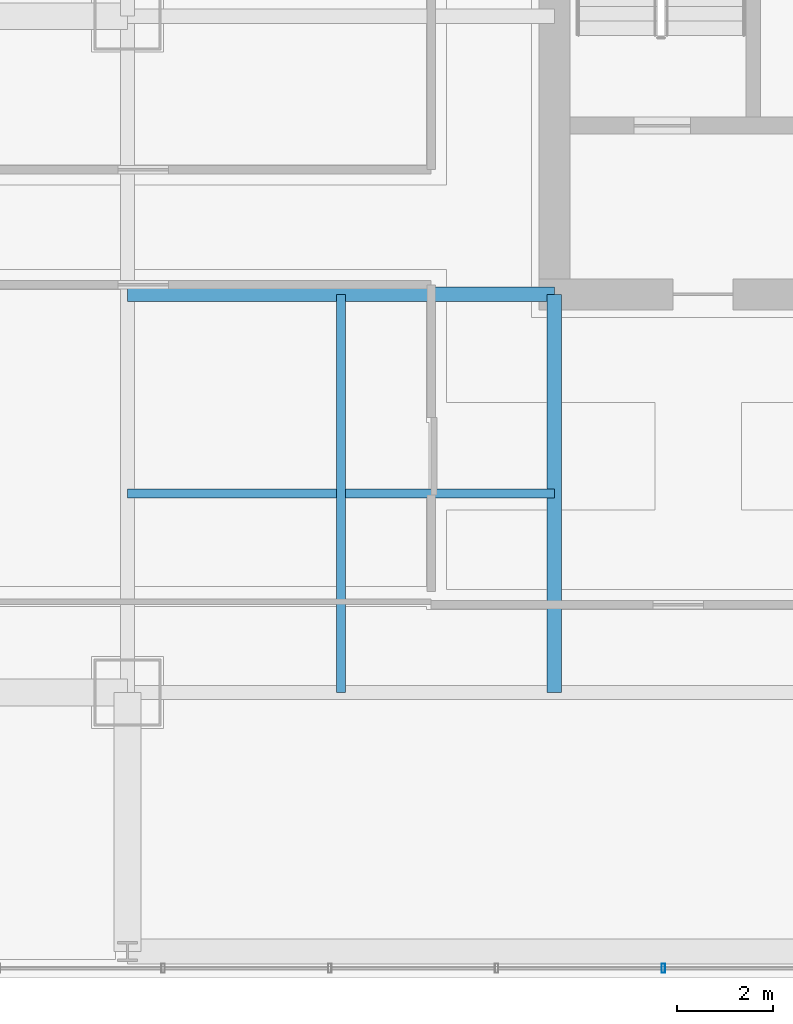
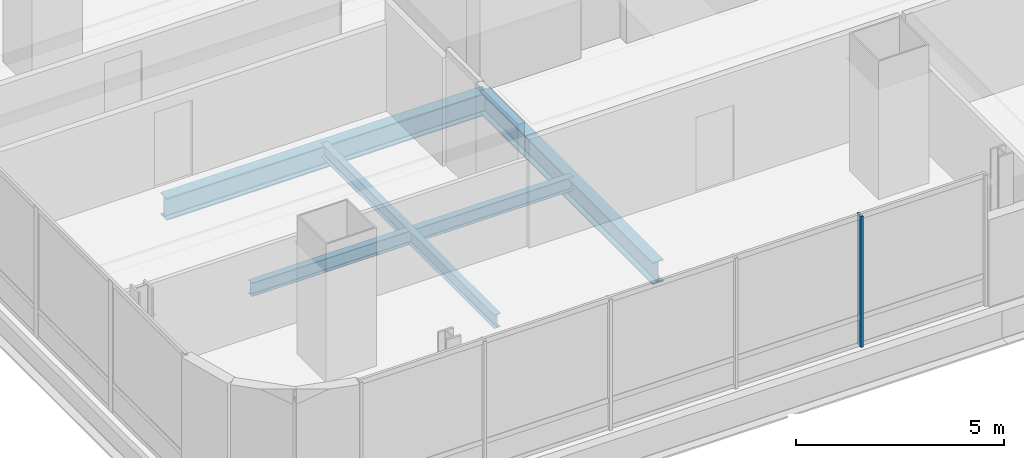
# One storey, part 6 of 38: 4 beams, 1 member, 1 element without a shape of its own.
"""IFC4 building model written with IfcOpenShell, lengths in metres."""

import ifcopenshell
import ifcopenshell.guid

model = None  # the IFC model being written
_history = None  # IfcOwnerHistory: only IFC2X3 demands one
_inside = {}  # id of a spatial element -> (the spatial element, [elements in it])
_under = {}  # id of a project, library or spatial element -> (it, [spatial elements below it])
_declared = {}  # id of a project -> (the project, [libraries it declares])
_typed = {}  # id of a type object -> (the type object, [elements of that type])
_made_of = {}  # id of a material, layer set ... -> (it, [elements and type objects made of it])


def new_model(schema):
    """Start an empty IFC model of exactly this schema.

    Asked for "IFC4X3", IfcOpenShell would pick the latest addendum, in which some entities
    have other attributes; the version numbers below select the first issue.
    IFC2X3 requires an IfcOwnerHistory on every rooted entity: one is made here for all.
    """
    global model, _history
    if schema == "IFC4X3":
        model = ifcopenshell.file(schema_version=(4, 3, 0, 0))
    else:
        model = ifcopenshell.file(schema=schema)
    _inside.clear()
    _under.clear()
    _declared.clear()
    _typed.clear()
    _made_of.clear()
    _history = None
    if model.schema == "IFC2X3":
        org = make("IfcOrganization", Name="unknown")
        user = make(
            "IfcPersonAndOrganization",
            ThePerson=make("IfcPerson", FamilyName="unknown"),
            TheOrganization=org,
        )
        app = make(
            "IfcApplication",
            ApplicationDeveloper=org,
            Version="unknown",
            ApplicationFullName="unknown",
            ApplicationIdentifier="unknown",
        )
        _history = make(
            "IfcOwnerHistory",
            OwningUser=user,
            OwningApplication=app,
            ChangeAction="ADDED",
            CreationDate=0,
        )
    return model


def make(cls, **values):
    """One entity of the class cls with the attributes given. An attribute that is None is left unset."""
    return model.create_entity(
        cls, **{name: value for name, value in values.items() if value is not None}
    )


def rooted(cls, **values):
    """An entity with a GlobalId (a new one), such as an element, a storey or a relation."""
    return make(cls, GlobalId=ifcopenshell.guid.new(), OwnerHistory=_history, **values)


def si_unit(unit_type, name, prefix=None):
    """IfcSIUnit, for example si_unit("LENGTHUNIT", "METRE", prefix="MILLI")."""
    return make("IfcSIUnit", UnitType=unit_type, Prefix=prefix, Name=name)


def assignment(units):
    """IfcUnitAssignment: the units of a project."""
    return None if units is None else make("IfcUnitAssignment", Units=units)


def point(xyz):
    """IfcCartesianPoint."""
    return None if xyz is None else make("IfcCartesianPoint", Coordinates=xyz)


def direction(xyz):
    """IfcDirection."""
    return None if xyz is None else make("IfcDirection", DirectionRatios=xyz)


def frame(location, z_axis=None, x_axis=None):
    """IfcAxis2Placement3D, a coordinate frame: its origin and axes. An axis left out is left unset."""
    return make(
        "IfcAxis2Placement3D",
        Location=point(location),
        Axis=direction(z_axis),
        RefDirection=direction(x_axis),
    )


def frame_2d(location, x_axis=None):
    """IfcAxis2Placement2D, a coordinate frame in the plane: its origin and x axis."""
    return make(
        "IfcAxis2Placement2D", Location=point(location), RefDirection=direction(x_axis)
    )


def origin():
    """The frame at (0, 0, 0) with its axes left unset."""
    return frame((0.0, 0.0, 0.0))


def origin_2d():
    """The frame at (0, 0) in the plane with its x axis left unset."""
    return frame_2d((0.0, 0.0))


def place(relative_to, where):
    """IfcLocalPlacement: puts the frame where relative to a parent placement (None: the world)."""
    return make(
        "IfcLocalPlacement", PlacementRelTo=relative_to, RelativePlacement=where
    )


def context(
    kind, dimensions, precision=None, world=None, true_north=None, identifier=None
):
    """IfcGeometricRepresentationContext, for example the 3D "Model" context."""
    return make(
        "IfcGeometricRepresentationContext",
        ContextIdentifier=identifier,
        ContextType=kind,
        CoordinateSpaceDimension=dimensions,
        Precision=precision,
        WorldCoordinateSystem=world,
        TrueNorth=true_north,
    )


def subcontext(parent, identifier, kind, view, scale=None):
    """IfcGeometricRepresentationSubContext, for example "Body" below "Model"."""
    return make(
        "IfcGeometricRepresentationSubContext",
        ContextIdentifier=identifier,
        ContextType=kind,
        ParentContext=parent,
        TargetScale=scale,
        TargetView=view,
    )


def project(units=None, contexts=None):
    """IfcProject with its units and contexts."""
    return rooted(
        "IfcProject",
        Name="project",
        RepresentationContexts=contexts,
        UnitsInContext=assignment(units),
    )


def spatial(cls, under=None, at=None, **own):
    """A site, building, storey or space (cls), placed at a placement, below another one or the project."""
    s = rooted(cls, ObjectPlacement=at, **own)
    if under is not None:
        _under.setdefault(under.id(), (under, []))[1].append(s)
    return s


def profile(cls, at=None, kind="AREA", **sizes):
    """A parametric profile (cls). Its sizes go by their IFC names, for example OverallWidth=200.0."""
    return make(cls, ProfileType=kind, Position=at, **sizes)


def hollow_rectangle(**sizes):
    """IfcRectangleHollowProfileDef."""
    return profile("IfcRectangleHollowProfileDef", **sizes)


def i_section(**sizes):
    """IfcIShapeProfileDef."""
    return profile("IfcIShapeProfileDef", **sizes)


def extrude(swept, where, along, depth):
    """IfcExtrudedAreaSolid: the profile swept, set in the frame where, extruded along a direction by depth."""
    return make(
        "IfcExtrudedAreaSolid",
        SweptArea=swept,
        Position=where,
        ExtrudedDirection=direction(along),
        Depth=depth,
    )


def shape(context_of_items, identifier, shape_type, items):
    """IfcShapeRepresentation: the items that make up one representation, for example the "Body"."""
    return make(
        "IfcShapeRepresentation",
        ContextOfItems=context_of_items,
        RepresentationIdentifier=identifier,
        RepresentationType=shape_type,
        Items=items,
    )


def material(Name=None, Category=None):
    """IfcMaterial."""
    return make("IfcMaterial", Name=Name, Category=Category)


def material_profile(
    of_material, cross_section, Name=None, Category=None, Priority=None
):
    """IfcMaterialProfile: a cross section and its material."""
    return make(
        "IfcMaterialProfile",
        Name=Name,
        Material=of_material,
        Profile=cross_section,
        Priority=Priority,
        Category=Category,
    )


def profile_set(profiles, Name=None, composite=None):
    """IfcMaterialProfileSet."""
    return make(
        "IfcMaterialProfileSet",
        Name=Name,
        MaterialProfiles=profiles,
        CompositeProfile=composite,
    )


def made_of(thing, what):
    """Note that an element or type object is made of a material, layer set ...; save() writes the relation."""
    if what is not None:
        _made_of.setdefault(what.id(), (what, []))[1].append(thing)
    return thing


def type_object(cls, material=None, **own):
    """A type object (cls), such as IfcWallType, which elements share."""
    return made_of(rooted(cls, **own), material)


def element(
    cls,
    number,
    at=None,
    inside=None,
    cuts=None,
    type_object=None,
    material=None,
    context=None,
    identifier="Body",
    shape_type=None,
    held_by="IfcProductDefinitionShape",
    body=None,
    shapes=None,
    **own,
):
    """One element of the class cls, such as IfcWall. Its Tag is "e" and its number.

    at: its placement. inside: the storey or other place that contains it. cuts: it is an
    opening in that element (IfcRelVoidsElement). A single representation is given by context,
    identifier, shape_type and body (its items); several are given by shapes. held_by: the class
    of the entity that holds the representations. save() writes the other relations.
    """
    e = rooted(cls, Tag="e%d" % number, ObjectPlacement=at, **own)
    if body is not None:
        shapes = [shape(context, identifier, shape_type, body)]
    if shapes is not None:
        e.Representation = make(held_by, Representations=shapes)
    if inside is not None:
        _inside.setdefault(inside.id(), (inside, []))[1].append(e)
    if cuts is not None:
        rooted(
            "IfcRelVoidsElement", RelatingBuildingElement=cuts, RelatedOpeningElement=e
        )
    if type_object is not None:
        _typed.setdefault(type_object.id(), (type_object, []))[1].append(e)
    return made_of(e, material)


def aggregate(whole, parts):
    """IfcRelAggregates: a whole, such as a stair, and the parts it consists of."""
    return rooted("IfcRelAggregates", RelatingObject=whole, RelatedObjects=parts)


def save(model, path):
    """Write the relations noted so far, then the file.

    IfcRelAggregates (storeys below a building ...), IfcRelContainedInSpatialStructure (elements
    in a storey), IfcRelDefinesByType, IfcRelAssociatesMaterial and IfcRelDeclares: one each for
    every whole, place, type object, material and project.
    """
    for whole, parts in _under.values():
        aggregate(whole, parts)
    for where, things in _inside.values():
        rooted(
            "IfcRelContainedInSpatialStructure",
            RelatedElements=things,
            RelatingStructure=where,
        )
    for kind, things in _typed.values():
        rooted("IfcRelDefinesByType", RelatedObjects=things, RelatingType=kind)
    for what, things in _made_of.values():
        rooted("IfcRelAssociatesMaterial", RelatedObjects=things, RelatingMaterial=what)
    for by, libraries in _declared.values():
        rooted("IfcRelDeclares", RelatingContext=by, RelatedDefinitions=libraries)
    model.write(path)


model = new_model("IFC4")

# Units and contexts
model_context = context("Model", 3, precision=1e-05, world=origin(), true_north=direction((0.0, 1.0)))
body_context = subcontext(model_context, "Body", "Model", "MODEL_VIEW")
ifc_project = project(units=[si_unit("LENGTHUNIT", "METRE"), si_unit("AREAUNIT", "SQUARE_METRE"), si_unit("VOLUMEUNIT", "CUBIC_METRE"), si_unit("PLANEANGLEUNIT", "RADIAN"), si_unit("MASSUNIT", "GRAM", prefix="KILO")], contexts=[model_context])

# Site, building, storey
site_placement = place(None, origin())
site = spatial("IfcSite", under=ifc_project, at=site_placement, CompositionType="ELEMENT")
building_placement = place(site_placement, origin())
building = spatial("IfcBuilding", under=site, at=building_placement, Name="Punatoya Terracotta Tower", CompositionType="ELEMENT")
storey_placement = place(building_placement, frame((0.0, 0.0, 188.39990234375)))
storey = spatial("IfcBuildingStorey", under=building, at=storey_placement, Name="L44", CompositionType="ELEMENT", Elevation=188.39990234375)

# Beams
ifc_material_1 = material(Name="Steel S355", Category="steel")
ifc_material_profile_1 = material_profile(ifc_material_1, i_section(OverallWidth=0.300048828125, OverallDepth=0.64990234375, WebThickness=0.01611328125, FlangeThickness=0.031005859375, FilletRadius=0.01806640625, at=origin_2d()))
ifc_profile_set_1 = profile_set([ifc_material_profile_1], Name="Steel S355")
beam_type_1 = type_object("IfcBeamType", Name="BM-PRI-650", PredefinedType="BEAM", material=ifc_profile_set_1)
beam_1_placement = place(storey_placement, frame((-19.10009765625, -9.199951171875, -0.544921875), z_axis=(1.0, 0.0, 0.0), x_axis=(0.0, 1.0, 0.0)))
element("IfcBeam", 1, at=beam_1_placement, inside=storey, type_object=beam_type_1, Name="BM-L44-PR-WS", PredefinedType="BEAM", context=body_context, shape_type="SweptSolid", body=[
    extrude(i_section(OverallWidth=0.300048828125, OverallDepth=0.64990234375, WebThickness=0.01611328125, FlangeThickness=0.031005859375, FilletRadius=0.01806640625, at=origin_2d()), origin(), (0.0, 0.0, 1.0), 8.900146484375),
])
beam_2_placement = place(storey_placement, frame((-10.199951171875, -17.5, -0.544921875), z_axis=(0.0, 1.0, 0.0), x_axis=(-1.0, 0.0, 0.0)))
element("IfcBeam", 2, at=beam_2_placement, inside=storey, type_object=beam_type_1, Name="BM-L44-PR-S1", PredefinedType="BEAM", context=body_context, shape_type="SweptSolid", body=[
    extrude(i_section(OverallWidth=0.300048828125, OverallDepth=0.64990234375, WebThickness=0.01611328125, FlangeThickness=0.031005859375, FilletRadius=0.01806640625, at=origin_2d()), origin(), (0.0, 0.0, 1.0), 8.300048828125),
])
ifc_material_profile_2 = material_profile(ifc_material_1, i_section(OverallWidth=0.179931640625, OverallDepth=0.39990234375, WebThickness=0.008544921875, FlangeThickness=0.013427734375, FilletRadius=0.01806640625, at=origin_2d()))
ifc_profile_set_2 = profile_set([ifc_material_profile_2], Name="Steel S355")
beam_type_2 = type_object("IfcBeamType", Name="BM-SEC-400", PredefinedType="JOIST", material=ifc_profile_set_2)
beam_3_placement = place(storey_placement, frame((-19.10009765625, -13.35009765625, -0.419921875), z_axis=(1.0, 0.0, 0.0), x_axis=(0.0, 1.0, 0.0)))
element("IfcBeam", 3, at=beam_3_placement, inside=storey, type_object=beam_type_2, Name="BM-L44-SJS-1", PredefinedType="JOIST", context=body_context, shape_type="SweptSolid", body=[
    extrude(i_section(OverallWidth=0.179931640625, OverallDepth=0.39990234375, WebThickness=0.008544921875, FlangeThickness=0.013427734375, FilletRadius=0.01806640625, at=origin_2d()), origin(), (0.0, 0.0, 1.0), 8.900146484375),
])
beam_4_placement = place(storey_placement, frame((-14.64990234375, -17.5, -0.419921875), z_axis=(0.0, 1.0, 0.0), x_axis=(-1.0, 0.0, 0.0)))
element("IfcBeam", 4, at=beam_4_placement, inside=storey, type_object=beam_type_2, Name="BM-L44-SJW-1", PredefinedType="JOIST", context=body_context, shape_type="SweptSolid", body=[
    extrude(i_section(OverallWidth=0.179931640625, OverallDepth=0.39990234375, WebThickness=0.008544921875, FlangeThickness=0.013427734375, FilletRadius=0.01806640625, at=origin_2d()), origin(), (0.0, 0.0, 1.0), 8.300048828125),
])

# Curtain wall, member
ifc_material_2 = material(Name="Aluminium 6063-T6 + Double Low-E Glass", Category="aluminium")
curtain_wall_type = type_object("IfcCurtainWallType", Name="CW-M2", PredefinedType="NOTDEFINED", material=ifc_material_2)
curtain_wall_placement = place(storey_placement, origin())
curtain_wall = element("IfcCurtainWall", 5, at=curtain_wall_placement, inside=storey, type_object=curtain_wall_type, Name="L44 Curtain Wall CW-L44-S01-1", PredefinedType="NOTDEFINED")
ifc_material_3 = material(Name="Aluminium 6063-T6", Category="aluminium")
ifc_material_profile_3 = material_profile(ifc_material_3, hollow_rectangle(XDim=0.072021484375, YDim=0.195068359375, WallThickness=0.00439453125, at=origin_2d()))
ifc_profile_set_3 = profile_set([ifc_material_profile_3], Name="Aluminium 6063-T6")
member_type = type_object("IfcMemberType", Name="CW-MUL-M2", PredefinedType="MULLION", material=ifc_profile_set_3)
member_placement = place(storey_placement, frame((-7.927490234375, -23.25, 0.0), z_axis=(0.0, 0.0, 1.0), x_axis=(1.0, 0.0, 0.0)))
member = element("IfcMember", 6, at=member_placement, type_object=member_type, Name="CW-L44-S01-1 Mullion 04", PredefinedType="MULLION", context=body_context, shape_type="SweptSolid", body=[
    extrude(hollow_rectangle(XDim=0.072021484375, YDim=0.195068359375, WallThickness=0.00439453125, at=origin_2d()), origin(), (0.0, 0.0, 1.0), 3.830078125),
])
aggregate(curtain_wall, [member])

save(model, "model.ifc")
